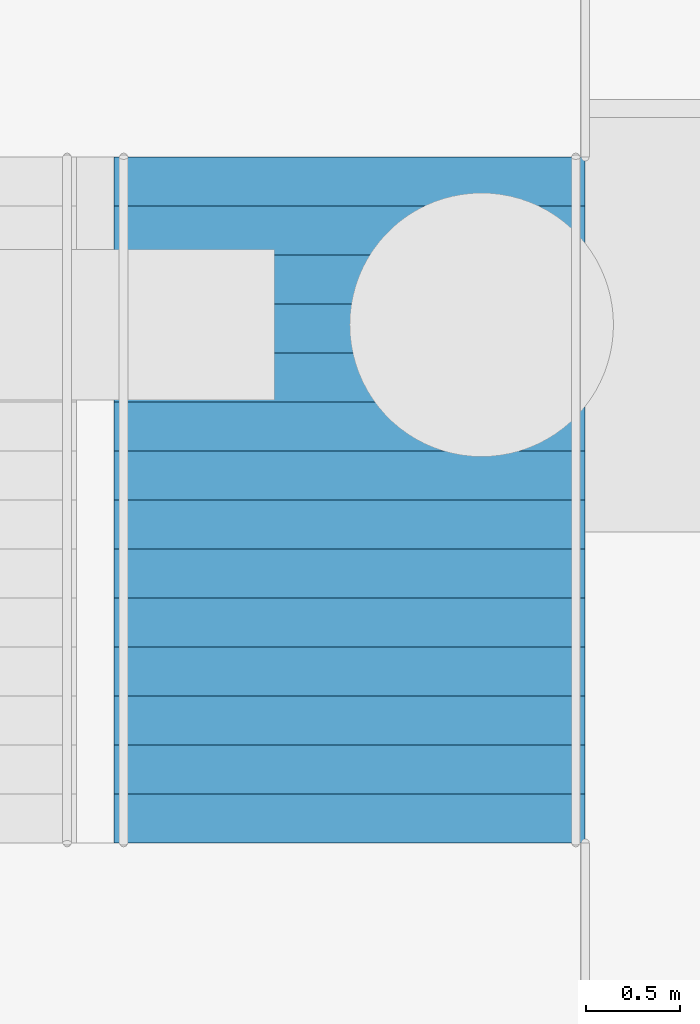
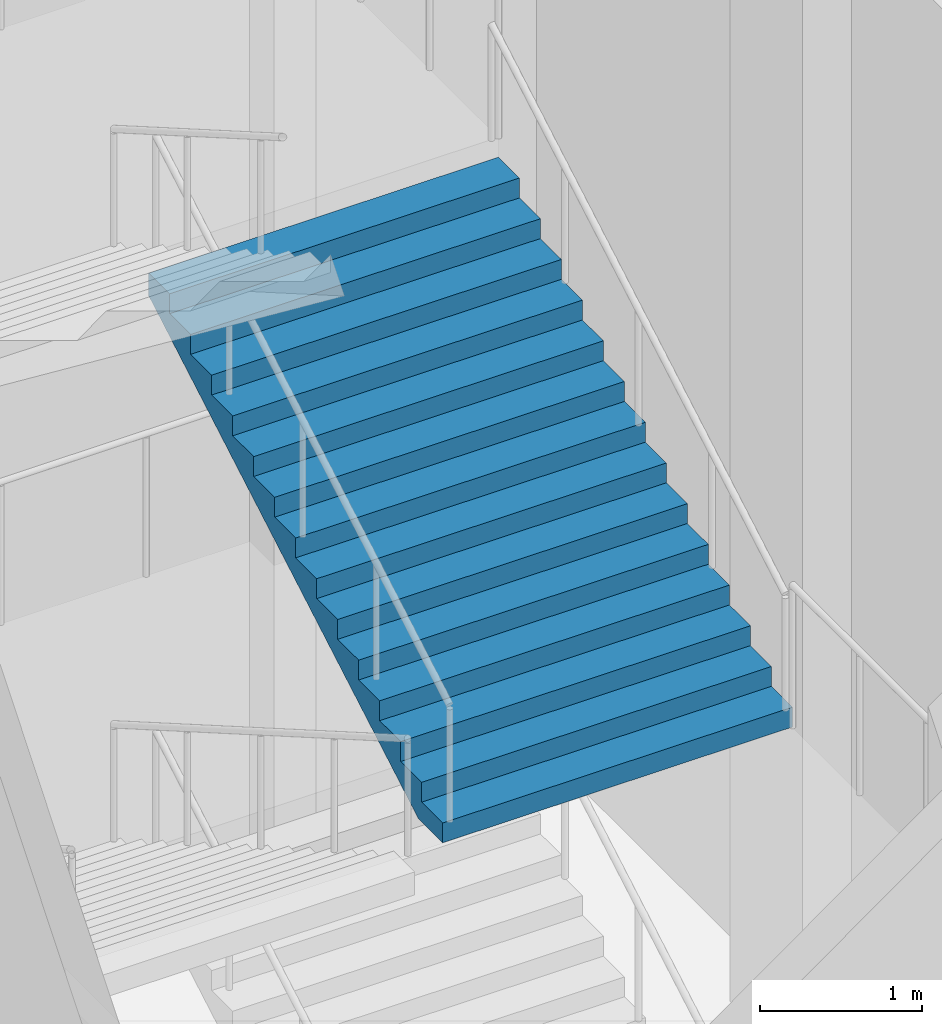
# One storey, part 51 of 113: 1 stair flight, 1 element without a shape of its own.
"""IFC4 building model written with IfcOpenShell, lengths in metres."""

from ifc_helpers import new_model, si_unit, direction, frame, origin, place, context, subcontext, project, spatial, triangles, material, type_object, element, aggregate, save


model = new_model("IFC4")

# Units and contexts
model_context = context("Model", 3, precision=1e-05, world=origin(), true_north=direction((0.0, 1.0)))
body_context = subcontext(model_context, "Body", "Model", "MODEL_VIEW")
ifc_project = project(units=[si_unit("LENGTHUNIT", "METRE"), si_unit("AREAUNIT", "SQUARE_METRE"), si_unit("VOLUMEUNIT", "CUBIC_METRE"), si_unit("PLANEANGLEUNIT", "RADIAN"), si_unit("MASSUNIT", "GRAM", prefix="KILO")], contexts=[model_context])

# Site, building, storey
site_placement = place(None, origin())
site = spatial("IfcSite", under=ifc_project, at=site_placement, CompositionType="ELEMENT")
building_placement = place(site_placement, origin())
building = spatial("IfcBuilding", under=site, at=building_placement, Name="Hakoniwa Tower and Hamabe Station Hall", CompositionType="ELEMENT")
storey_placement = place(building_placement, origin())
storey = spatial("IfcBuildingStorey", under=building, at=storey_placement, Name="L01", CompositionType="ELEMENT", Elevation=0.0)

# Stair, stair flight
ifc_material_1 = material(Name="Concrete C40", Category="concrete")
stair_type = type_object("IfcStairType", Name="STAIR 2500 15X150", PredefinedType="HALF_TURN_STAIR", material=ifc_material_1)
stair_placement = place(storey_placement, origin())
stair = element("IfcStair", 1, at=stair_placement, inside=storey, type_object=stair_type, Name="Escape stair PS4", PredefinedType="HALF_TURN_STAIR")
ifc_material_2 = material(Name="Concrete C40", Category="concrete")
stair_flight_type = type_object("IfcStairFlightType", Name="STAIR FLIGHT 2500", PredefinedType="STRAIGHT", material=ifc_material_2)
stair_flight_placement = place(storey_placement, frame((-45.10009765625, -22.35009765625, 4.5), z_axis=(0.0, 0.0, 1.0), x_axis=(0.0, 1.0, 0.0)))
stair_flight = element("IfcStairFlight", 2, at=stair_flight_placement, type_object=stair_flight_type, Name="PS4 flight 3", NumberOfRisers=15, NumberOfTreads=14, PredefinedType="STRAIGHT", RiserHeight=0.15, TreadLength=0.26, context=body_context, shape_type="Tessellation", body=[
    triangles([(0.0, 1.25, 0.0), (0.260009765625, 1.25, 0.0), (0.300048828125, 1.25, 0.0), (0.52001953125, 1.25, 0.126953125), (0.780029296875, 1.25, 0.27685546875), (1.0400390625, 1.25, 0.427001953125), (1.300048828125, 1.25, 0.576904296875), (1.56005859375, 1.25, 0.72705078125), (1.820068359375, 1.25, 0.876953125), (2.080078125, 1.25, 1.02685546875), (2.340087890625, 1.25, 1.177001953125), (2.60009765625, 1.25, 1.326904296875), (2.860107421875, 1.25, 1.47705078125), (3.1201171875, 1.25, 1.626953125), (3.3798828125, 1.25, 1.77685546875), (3.639892578125, 1.25, 1.927001953125), (3.639892578125, 1.25, 2.10009765625), (3.3798828125, 1.25, 2.10009765625), (3.3798828125, 1.25, 1.949951171875), (3.1201171875, 1.25, 1.949951171875), (3.1201171875, 1.25, 1.800048828125), (2.860107421875, 1.25, 1.800048828125), (2.860107421875, 1.25, 1.64990234375), (2.60009765625, 1.25, 1.64990234375), (2.60009765625, 1.25, 1.5), (2.340087890625, 1.25, 1.5), (2.340087890625, 1.25, 1.35009765625), (2.080078125, 1.25, 1.35009765625), (2.080078125, 1.25, 1.199951171875), (1.820068359375, 1.25, 1.199951171875), (1.820068359375, 1.25, 1.050048828125), (1.56005859375, 1.25, 1.050048828125), (1.56005859375, 1.25, 0.89990234375), (1.300048828125, 1.25, 0.89990234375), (1.300048828125, 1.25, 0.75), (1.0400390625, 1.25, 0.75), (1.0400390625, 1.25, 0.60009765625), (0.780029296875, 1.25, 0.60009765625), (0.780029296875, 1.25, 0.449951171875), (0.52001953125, 1.25, 0.449951171875), (0.52001953125, 1.25, 0.300048828125), (0.300048828125, 1.25, 0.300048828125), (0.260009765625, 1.25, 0.300048828125), (0.260009765625, 1.25, 0.14990234375), (0.0, 1.25, 0.14990234375), (0.0, 0.06005859375, 0.0), (0.260009765625, 0.06005859375, 0.0), (0.300048828125, 0.06005859375, 0.0), (0.52001953125, 0.06005859375, 0.126953125), (0.780029296875, 0.06005859375, 0.27685546875), (1.0400390625, 0.06005859375, 0.427001953125), (1.300048828125, 0.06005859375, 0.576904296875), (1.56005859375, 0.06005859375, 0.72705078125), (1.820068359375, 0.06005859375, 0.876953125), (2.080078125, 0.06005859375, 1.02685546875), (2.340087890625, 0.06005859375, 1.177001953125), (2.60009765625, 0.06005859375, 1.326904296875), (2.860107421875, 0.06005859375, 1.47705078125), (3.1201171875, 0.06005859375, 1.626953125), (3.3798828125, 0.06005859375, 1.77685546875), (3.639892578125, 0.06005859375, 1.927001953125), (3.639892578125, 0.06005859375, 2.10009765625), (3.3798828125, 0.06005859375, 2.10009765625), (3.3798828125, 0.06005859375, 1.949951171875), (3.1201171875, 0.06005859375, 1.949951171875), (3.1201171875, 0.06005859375, 1.800048828125), (2.860107421875, 0.06005859375, 1.800048828125), (2.860107421875, 0.06005859375, 1.64990234375), (2.60009765625, 0.06005859375, 1.64990234375), (2.60009765625, 0.06005859375, 1.5), (2.340087890625, 0.06005859375, 1.5), (2.340087890625, 0.06005859375, 1.35009765625), (2.080078125, 0.06005859375, 1.35009765625), (2.080078125, 0.06005859375, 1.199951171875), (1.820068359375, 0.06005859375, 1.199951171875), (1.820068359375, 0.06005859375, 1.050048828125), (1.56005859375, 0.06005859375, 1.050048828125), (1.56005859375, 0.06005859375, 0.89990234375), (1.300048828125, 0.06005859375, 0.89990234375), (1.300048828125, 0.06005859375, 0.75), (1.0400390625, 0.06005859375, 0.75), (1.0400390625, 0.06005859375, 0.60009765625), (0.780029296875, 0.06005859375, 0.60009765625), (0.780029296875, 0.06005859375, 0.449951171875), (0.52001953125, 0.06005859375, 0.449951171875), (0.52001953125, 0.06005859375, 0.300048828125), (0.300048828125, 0.06005859375, 0.300048828125), (0.260009765625, 0.06005859375, 0.300048828125), (0.260009765625, 0.06005859375, 0.14990234375), (0.0, 0.06005859375, 0.14990234375), (0.0, 0.02001953125, 0.0), (0.260009765625, 0.02001953125, 0.0), (0.300048828125, 0.02001953125, 0.0), (0.52001953125, 0.02001953125, 0.126953125), (0.780029296875, 0.02001953125, 0.27685546875), (1.0400390625, 0.02001953125, 0.427001953125), (1.300048828125, 0.02001953125, 0.576904296875), (1.56005859375, 0.02001953125, 0.72705078125), (1.820068359375, 0.02001953125, 0.876953125), (2.080078125, 0.02001953125, 1.02685546875), (2.340087890625, 0.02001953125, 1.177001953125), (2.60009765625, 0.02001953125, 1.326904296875), (2.860107421875, 0.02001953125, 1.47705078125), (3.1201171875, 0.02001953125, 1.626953125), (3.3798828125, 0.02001953125, 1.77685546875), (3.639892578125, 0.02001953125, 1.927001953125), (3.639892578125, 0.02001953125, 2.10009765625), (3.3798828125, 0.02001953125, 2.10009765625), (3.3798828125, 0.02001953125, 1.949951171875), (3.1201171875, 0.02001953125, 1.949951171875), (3.1201171875, 0.02001953125, 1.800048828125), (2.860107421875, 0.02001953125, 1.800048828125), (2.860107421875, 0.02001953125, 1.64990234375), (2.60009765625, 0.02001953125, 1.64990234375), (2.60009765625, 0.02001953125, 1.5), (2.340087890625, 0.02001953125, 1.5), (2.340087890625, 0.02001953125, 1.35009765625), (2.080078125, 0.02001953125, 1.35009765625), (2.080078125, 0.02001953125, 1.199951171875), (1.820068359375, 0.02001953125, 1.199951171875), (1.820068359375, 0.02001953125, 1.050048828125), (1.56005859375, 0.02001953125, 1.050048828125), (1.56005859375, 0.02001953125, 0.89990234375), (1.300048828125, 0.02001953125, 0.89990234375), (1.300048828125, 0.02001953125, 0.75), (1.0400390625, 0.02001953125, 0.75), (1.0400390625, 0.02001953125, 0.60009765625), (0.780029296875, 0.02001953125, 0.60009765625), (0.780029296875, 0.02001953125, 0.449951171875), (0.52001953125, 0.02001953125, 0.449951171875), (0.52001953125, 0.02001953125, 0.300048828125), (0.300048828125, 0.02001953125, 0.300048828125), (0.260009765625, 0.02001953125, 0.300048828125), (0.260009765625, 0.02001953125, 0.14990234375), (0.0, 0.02001953125, 0.14990234375), (0.0, -0.02001953125, 0.0), (0.260009765625, -0.02001953125, 0.0), (0.300048828125, -0.02001953125, 0.0), (0.52001953125, -0.02001953125, 0.126953125), (0.780029296875, -0.02001953125, 0.27685546875), (1.0400390625, -0.02001953125, 0.427001953125), (1.300048828125, -0.02001953125, 0.576904296875), (1.56005859375, -0.02001953125, 0.72705078125), (1.820068359375, -0.02001953125, 0.876953125), (2.080078125, -0.02001953125, 1.02685546875), (2.340087890625, -0.02001953125, 1.177001953125), (2.60009765625, -0.02001953125, 1.326904296875), (2.860107421875, -0.02001953125, 1.47705078125), (3.1201171875, -0.02001953125, 1.626953125), (3.3798828125, -0.02001953125, 1.77685546875), (3.639892578125, -0.02001953125, 1.927001953125), (3.639892578125, -0.02001953125, 2.10009765625), (3.3798828125, -0.02001953125, 2.10009765625), (3.3798828125, -0.02001953125, 1.949951171875), (3.1201171875, -0.02001953125, 1.949951171875), (3.1201171875, -0.02001953125, 1.800048828125), (2.860107421875, -0.02001953125, 1.800048828125), (2.860107421875, -0.02001953125, 1.64990234375), (2.60009765625, -0.02001953125, 1.64990234375), (2.60009765625, -0.02001953125, 1.5), (2.340087890625, -0.02001953125, 1.5), (2.340087890625, -0.02001953125, 1.35009765625), (2.080078125, -0.02001953125, 1.35009765625), (2.080078125, -0.02001953125, 1.199951171875), (1.820068359375, -0.02001953125, 1.199951171875), (1.820068359375, -0.02001953125, 1.050048828125), (1.56005859375, -0.02001953125, 1.050048828125), (1.56005859375, -0.02001953125, 0.89990234375), (1.300048828125, -0.02001953125, 0.89990234375), (1.300048828125, -0.02001953125, 0.75), (1.0400390625, -0.02001953125, 0.75), (1.0400390625, -0.02001953125, 0.60009765625), (0.780029296875, -0.02001953125, 0.60009765625), (0.780029296875, -0.02001953125, 0.449951171875), (0.52001953125, -0.02001953125, 0.449951171875), (0.52001953125, -0.02001953125, 0.300048828125), (0.300048828125, -0.02001953125, 0.300048828125), (0.260009765625, -0.02001953125, 0.300048828125), (0.260009765625, -0.02001953125, 0.14990234375), (0.0, -0.02001953125, 0.14990234375), (0.0, -0.06005859375, 0.0), (0.260009765625, -0.06005859375, 0.0), (0.300048828125, -0.06005859375, 0.0), (0.52001953125, -0.06005859375, 0.126953125), (0.780029296875, -0.06005859375, 0.27685546875), (1.0400390625, -0.06005859375, 0.427001953125), (1.300048828125, -0.06005859375, 0.576904296875), (1.56005859375, -0.06005859375, 0.72705078125), (1.820068359375, -0.06005859375, 0.876953125), (2.080078125, -0.06005859375, 1.02685546875), (2.340087890625, -0.06005859375, 1.177001953125), (2.60009765625, -0.06005859375, 1.326904296875), (2.860107421875, -0.06005859375, 1.47705078125), (3.1201171875, -0.06005859375, 1.626953125), (3.3798828125, -0.06005859375, 1.77685546875), (3.639892578125, -0.06005859375, 1.927001953125), (3.639892578125, -0.06005859375, 2.10009765625), (3.3798828125, -0.06005859375, 2.10009765625), (3.3798828125, -0.06005859375, 1.949951171875), (3.1201171875, -0.06005859375, 1.949951171875), (3.1201171875, -0.06005859375, 1.800048828125), (2.860107421875, -0.06005859375, 1.800048828125), (2.860107421875, -0.06005859375, 1.64990234375), (2.60009765625, -0.06005859375, 1.64990234375), (2.60009765625, -0.06005859375, 1.5), (2.340087890625, -0.06005859375, 1.5), (2.340087890625, -0.06005859375, 1.35009765625), (2.080078125, -0.06005859375, 1.35009765625), (2.080078125, -0.06005859375, 1.199951171875), (1.820068359375, -0.06005859375, 1.199951171875), (1.820068359375, -0.06005859375, 1.050048828125), (1.56005859375, -0.06005859375, 1.050048828125), (1.56005859375, -0.06005859375, 0.89990234375), (1.300048828125, -0.06005859375, 0.89990234375), (1.300048828125, -0.06005859375, 0.75), (1.0400390625, -0.06005859375, 0.75), (1.0400390625, -0.06005859375, 0.60009765625), (0.780029296875, -0.06005859375, 0.60009765625), (0.780029296875, -0.06005859375, 0.449951171875), (0.52001953125, -0.06005859375, 0.449951171875), (0.52001953125, -0.06005859375, 0.300048828125), (0.300048828125, -0.06005859375, 0.300048828125), (0.260009765625, -0.06005859375, 0.300048828125), (0.260009765625, -0.06005859375, 0.14990234375), (0.0, -0.06005859375, 0.14990234375), (0.0, -1.25, 0.0), (0.260009765625, -1.25, 0.0), (0.300048828125, -1.25, 0.0), (0.52001953125, -1.25, 0.126953125), (0.780029296875, -1.25, 0.27685546875), (1.0400390625, -1.25, 0.427001953125), (1.300048828125, -1.25, 0.576904296875), (1.56005859375, -1.25, 0.72705078125), (1.820068359375, -1.25, 0.876953125), (2.080078125, -1.25, 1.02685546875), (2.340087890625, -1.25, 1.177001953125), (2.60009765625, -1.25, 1.326904296875), (2.860107421875, -1.25, 1.47705078125), (3.1201171875, -1.25, 1.626953125), (3.3798828125, -1.25, 1.77685546875), (3.639892578125, -1.25, 1.927001953125), (3.639892578125, -1.25, 2.10009765625), (3.3798828125, -1.25, 2.10009765625), (3.3798828125, -1.25, 1.949951171875), (3.1201171875, -1.25, 1.949951171875), (3.1201171875, -1.25, 1.800048828125), (2.860107421875, -1.25, 1.800048828125), (2.860107421875, -1.25, 1.64990234375), (2.60009765625, -1.25, 1.64990234375), (2.60009765625, -1.25, 1.5), (2.340087890625, -1.25, 1.5), (2.340087890625, -1.25, 1.35009765625), (2.080078125, -1.25, 1.35009765625), (2.080078125, -1.25, 1.199951171875), (1.820068359375, -1.25, 1.199951171875), (1.820068359375, -1.25, 1.050048828125), (1.56005859375, -1.25, 1.050048828125), (1.56005859375, -1.25, 0.89990234375), (1.300048828125, -1.25, 0.89990234375), (1.300048828125, -1.25, 0.75), (1.0400390625, -1.25, 0.75), (1.0400390625, -1.25, 0.60009765625), (0.780029296875, -1.25, 0.60009765625), (0.780029296875, -1.25, 0.449951171875), (0.52001953125, -1.25, 0.449951171875), (0.52001953125, -1.25, 0.300048828125), (0.300048828125, -1.25, 0.300048828125), (0.260009765625, -1.25, 0.300048828125), (0.260009765625, -1.25, 0.14990234375), (0.0, -1.25, 0.14990234375)], [[2, 45, 44], [227, 269, 270], [2, 1, 45], [227, 270, 226], [3, 43, 42], [228, 267, 268], [3, 44, 43], [228, 268, 269], [3, 2, 44], [228, 269, 227], [4, 42, 41], [229, 266, 267], [4, 3, 42], [229, 267, 228], [5, 40, 39], [230, 264, 265], [5, 41, 40], [230, 265, 266], [5, 4, 41], [230, 266, 229], [6, 38, 37], [231, 262, 263], [6, 39, 38], [231, 263, 264], [6, 5, 39], [231, 264, 230], [7, 36, 35], [232, 260, 261], [7, 37, 36], [232, 261, 262], [7, 6, 37], [232, 262, 231], [8, 34, 33], [233, 258, 259], [8, 35, 34], [233, 259, 260], [8, 7, 35], [233, 260, 232], [9, 32, 31], [234, 256, 257], [9, 33, 32], [234, 257, 258], [9, 8, 33], [234, 258, 233], [10, 30, 29], [235, 254, 255], [10, 31, 30], [235, 255, 256], [10, 9, 31], [235, 256, 234], [11, 28, 27], [236, 252, 253], [11, 29, 28], [236, 253, 254], [11, 10, 29], [236, 254, 235], [12, 26, 25], [237, 250, 251], [12, 27, 26], [237, 251, 252], [12, 11, 27], [237, 252, 236], [13, 24, 23], [238, 248, 249], [13, 25, 24], [238, 249, 250], [13, 12, 25], [238, 250, 237], [14, 22, 21], [239, 246, 247], [14, 23, 22], [239, 247, 248], [14, 13, 23], [239, 248, 238], [15, 20, 19], [240, 244, 245], [15, 21, 20], [240, 245, 246], [15, 14, 21], [240, 246, 239], [16, 18, 17], [241, 242, 243], [16, 19, 18], [241, 243, 244], [16, 15, 19], [241, 244, 240], [1, 2, 47], [1, 47, 46], [46, 47, 92], [46, 92, 91], [91, 92, 137], [91, 137, 136], [136, 137, 182], [136, 182, 181], [181, 182, 227], [181, 227, 226], [2, 3, 48], [2, 48, 47], [47, 48, 93], [47, 93, 92], [92, 93, 138], [92, 138, 137], [137, 138, 183], [137, 183, 182], [182, 183, 228], [182, 228, 227], [3, 4, 49], [3, 49, 48], [48, 49, 94], [48, 94, 93], [93, 94, 139], [93, 139, 138], [138, 139, 184], [138, 184, 183], [183, 184, 229], [183, 229, 228], [4, 5, 50], [4, 50, 49], [49, 50, 95], [49, 95, 94], [94, 95, 140], [94, 140, 139], [139, 140, 185], [139, 185, 184], [184, 185, 230], [184, 230, 229], [5, 6, 51], [5, 51, 50], [50, 51, 96], [50, 96, 95], [95, 96, 141], [95, 141, 140], [140, 141, 186], [140, 186, 185], [185, 186, 231], [185, 231, 230], [6, 7, 52], [6, 52, 51], [51, 52, 97], [51, 97, 96], [96, 97, 142], [96, 142, 141], [141, 142, 187], [141, 187, 186], [186, 187, 232], [186, 232, 231], [7, 8, 53], [7, 53, 52], [52, 53, 98], [52, 98, 97], [97, 98, 143], [97, 143, 142], [142, 143, 188], [142, 188, 187], [187, 188, 233], [187, 233, 232], [8, 9, 54], [8, 54, 53], [53, 54, 99], [53, 99, 98], [98, 99, 144], [98, 144, 143], [143, 144, 189], [143, 189, 188], [188, 189, 234], [188, 234, 233], [9, 10, 55], [9, 55, 54], [54, 55, 100], [54, 100, 99], [99, 100, 145], [99, 145, 144], [144, 145, 190], [144, 190, 189], [189, 190, 235], [189, 235, 234], [10, 11, 56], [10, 56, 55], [55, 56, 101], [55, 101, 100], [100, 101, 146], [100, 146, 145], [145, 146, 191], [145, 191, 190], [190, 191, 236], [190, 236, 235], [11, 12, 57], [11, 57, 56], [56, 57, 102], [56, 102, 101], [101, 102, 147], [101, 147, 146], [146, 147, 192], [146, 192, 191], [191, 192, 237], [191, 237, 236], [12, 13, 58], [12, 58, 57], [57, 58, 103], [57, 103, 102], [102, 103, 148], [102, 148, 147], [147, 148, 193], [147, 193, 192], [192, 193, 238], [192, 238, 237], [13, 14, 59], [13, 59, 58], [58, 59, 104], [58, 104, 103], [103, 104, 149], [103, 149, 148], [148, 149, 194], [148, 194, 193], [193, 194, 239], [193, 239, 238], [14, 15, 60], [14, 60, 59], [59, 60, 105], [59, 105, 104], [104, 105, 150], [104, 150, 149], [149, 150, 195], [149, 195, 194], [194, 195, 240], [194, 240, 239], [15, 16, 61], [15, 61, 60], [60, 61, 106], [60, 106, 105], [105, 106, 151], [105, 151, 150], [150, 151, 196], [150, 196, 195], [195, 196, 241], [195, 241, 240], [16, 17, 62], [16, 62, 61], [61, 62, 107], [61, 107, 106], [106, 107, 152], [106, 152, 151], [151, 152, 197], [151, 197, 196], [196, 197, 242], [196, 242, 241], [17, 18, 63], [17, 63, 62], [62, 63, 108], [62, 108, 107], [107, 108, 153], [107, 153, 152], [152, 153, 198], [152, 198, 197], [197, 198, 243], [197, 243, 242], [18, 19, 64], [18, 64, 63], [63, 64, 109], [63, 109, 108], [108, 109, 154], [108, 154, 153], [153, 154, 199], [153, 199, 198], [198, 199, 244], [198, 244, 243], [19, 20, 65], [19, 65, 64], [64, 65, 110], [64, 110, 109], [109, 110, 155], [109, 155, 154], [154, 155, 200], [154, 200, 199], [199, 200, 245], [199, 245, 244], [20, 21, 66], [20, 66, 65], [65, 66, 111], [65, 111, 110], [110, 111, 156], [110, 156, 155], [155, 156, 201], [155, 201, 200], [200, 201, 246], [200, 246, 245], [21, 22, 67], [21, 67, 66], [66, 67, 112], [66, 112, 111], [111, 112, 157], [111, 157, 156], [156, 157, 202], [156, 202, 201], [201, 202, 247], [201, 247, 246], [22, 23, 68], [22, 68, 67], [67, 68, 113], [67, 113, 112], [112, 113, 158], [112, 158, 157], [157, 158, 203], [157, 203, 202], [202, 203, 248], [202, 248, 247], [23, 24, 69], [23, 69, 68], [68, 69, 114], [68, 114, 113], [113, 114, 159], [113, 159, 158], [158, 159, 204], [158, 204, 203], [203, 204, 249], [203, 249, 248], [24, 25, 70], [24, 70, 69], [69, 70, 115], [69, 115, 114], [114, 115, 160], [114, 160, 159], [159, 160, 205], [159, 205, 204], [204, 205, 250], [204, 250, 249], [25, 26, 71], [25, 71, 70], [70, 71, 116], [70, 116, 115], [115, 116, 161], [115, 161, 160], [160, 161, 206], [160, 206, 205], [205, 206, 251], [205, 251, 250], [26, 27, 72], [26, 72, 71], [71, 72, 117], [71, 117, 116], [116, 117, 162], [116, 162, 161], [161, 162, 207], [161, 207, 206], [206, 207, 252], [206, 252, 251], [27, 28, 73], [27, 73, 72], [72, 73, 118], [72, 118, 117], [117, 118, 163], [117, 163, 162], [162, 163, 208], [162, 208, 207], [207, 208, 253], [207, 253, 252], [28, 29, 74], [28, 74, 73], [73, 74, 119], [73, 119, 118], [118, 119, 164], [118, 164, 163], [163, 164, 209], [163, 209, 208], [208, 209, 254], [208, 254, 253], [29, 30, 75], [29, 75, 74], [74, 75, 120], [74, 120, 119], [119, 120, 165], [119, 165, 164], [164, 165, 210], [164, 210, 209], [209, 210, 255], [209, 255, 254], [30, 31, 76], [30, 76, 75], [75, 76, 121], [75, 121, 120], [120, 121, 166], [120, 166, 165], [165, 166, 211], [165, 211, 210], [210, 211, 256], [210, 256, 255], [31, 32, 77], [31, 77, 76], [76, 77, 122], [76, 122, 121], [121, 122, 167], [121, 167, 166], [166, 167, 212], [166, 212, 211], [211, 212, 257], [211, 257, 256], [32, 33, 78], [32, 78, 77], [77, 78, 123], [77, 123, 122], [122, 123, 168], [122, 168, 167], [167, 168, 213], [167, 213, 212], [212, 213, 258], [212, 258, 257], [33, 34, 79], [33, 79, 78], [78, 79, 124], [78, 124, 123], [123, 124, 169], [123, 169, 168], [168, 169, 214], [168, 214, 213], [213, 214, 259], [213, 259, 258], [34, 35, 80], [34, 80, 79], [79, 80, 125], [79, 125, 124], [124, 125, 170], [124, 170, 169], [169, 170, 215], [169, 215, 214], [214, 215, 260], [214, 260, 259], [35, 36, 81], [35, 81, 80], [80, 81, 126], [80, 126, 125], [125, 126, 171], [125, 171, 170], [170, 171, 216], [170, 216, 215], [215, 216, 261], [215, 261, 260], [36, 37, 82], [36, 82, 81], [81, 82, 127], [81, 127, 126], [126, 127, 172], [126, 172, 171], [171, 172, 217], [171, 217, 216], [216, 217, 262], [216, 262, 261], [37, 38, 83], [37, 83, 82], [82, 83, 128], [82, 128, 127], [127, 128, 173], [127, 173, 172], [172, 173, 218], [172, 218, 217], [217, 218, 263], [217, 263, 262], [38, 39, 84], [38, 84, 83], [83, 84, 129], [83, 129, 128], [128, 129, 174], [128, 174, 173], [173, 174, 219], [173, 219, 218], [218, 219, 264], [218, 264, 263], [39, 40, 85], [39, 85, 84], [84, 85, 130], [84, 130, 129], [129, 130, 175], [129, 175, 174], [174, 175, 220], [174, 220, 219], [219, 220, 265], [219, 265, 264], [40, 41, 86], [40, 86, 85], [85, 86, 131], [85, 131, 130], [130, 131, 176], [130, 176, 175], [175, 176, 221], [175, 221, 220], [220, 221, 266], [220, 266, 265], [41, 42, 87], [41, 87, 86], [86, 87, 132], [86, 132, 131], [131, 132, 177], [131, 177, 176], [176, 177, 222], [176, 222, 221], [221, 222, 267], [221, 267, 266], [42, 43, 88], [42, 88, 87], [87, 88, 133], [87, 133, 132], [132, 133, 178], [132, 178, 177], [177, 178, 223], [177, 223, 222], [222, 223, 268], [222, 268, 267], [43, 44, 89], [43, 89, 88], [88, 89, 134], [88, 134, 133], [133, 134, 179], [133, 179, 178], [178, 179, 224], [178, 224, 223], [223, 224, 269], [223, 269, 268], [44, 45, 90], [44, 90, 89], [89, 90, 135], [89, 135, 134], [134, 135, 180], [134, 180, 179], [179, 180, 225], [179, 225, 224], [224, 225, 270], [224, 270, 269], [45, 1, 46], [45, 46, 90], [90, 46, 91], [90, 91, 135], [135, 91, 136], [135, 136, 180], [180, 136, 181], [180, 181, 225], [225, 181, 226], [225, 226, 270]], closed=True),
])
aggregate(stair, [stair_flight])

save(model, "model.ifc")
